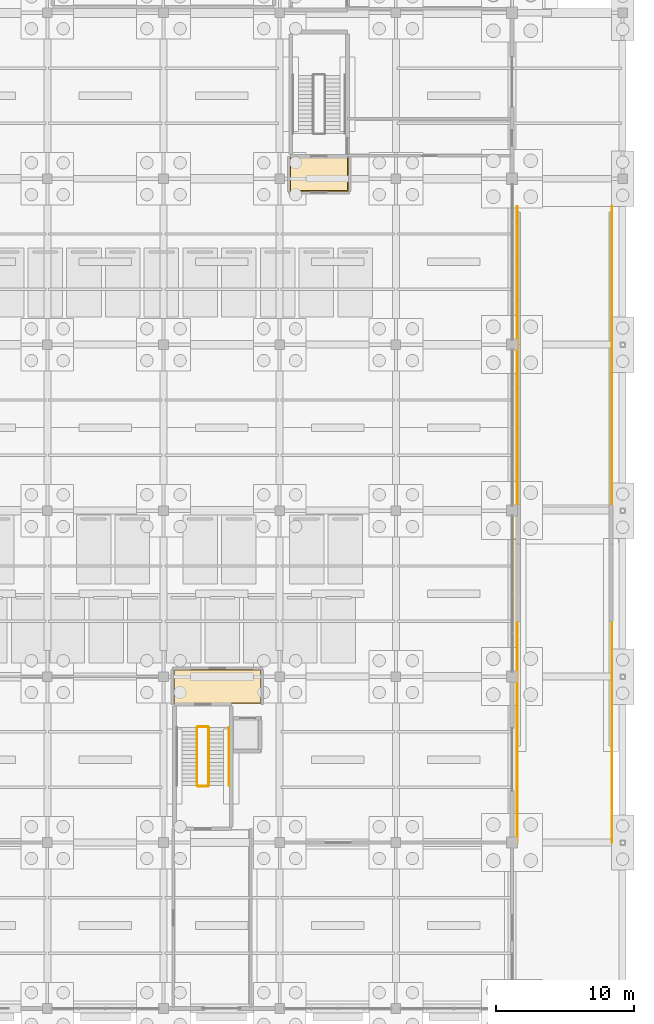
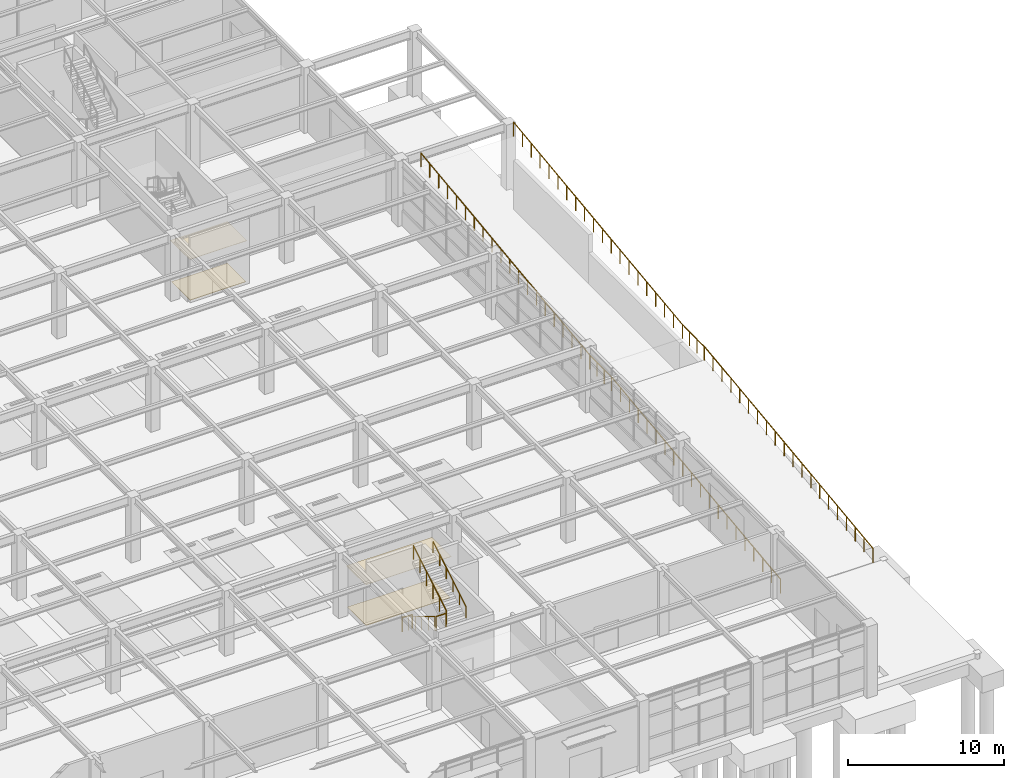
# One storey, part 127 of 129: 7 railings, 4 coverings.
"""IFC4 building model written with IfcOpenShell, lengths in metres."""

from ifc_helpers import new_model, si_unit, direction, frame, origin, origin_2d, place, context, subcontext, project, spatial, polyline, circle, outline, extrude, material, layer, layer_set, type_object, element, save


model = new_model("IFC4")

# Units and contexts
model_context = context("Model", 3, precision=1e-05, world=origin(), true_north=direction((0.0, 1.0)))
body_context = subcontext(model_context, "Body", "Model", "MODEL_VIEW")
ifc_project = project(units=[si_unit("LENGTHUNIT", "METRE"), si_unit("AREAUNIT", "SQUARE_METRE"), si_unit("VOLUMEUNIT", "CUBIC_METRE"), si_unit("PLANEANGLEUNIT", "RADIAN"), si_unit("MASSUNIT", "GRAM", prefix="KILO")], contexts=[model_context])

# Site, building, storey
site_placement = place(None, origin())
site = spatial("IfcSite", under=ifc_project, at=site_placement, CompositionType="ELEMENT")
building_placement = place(site_placement, origin())
building = spatial("IfcBuilding", under=site, at=building_placement, Name="Sitalva Quay Ferry Terminal", CompositionType="ELEMENT")
storey_placement = place(building_placement, origin())
storey = spatial("IfcBuildingStorey", under=building, at=storey_placement, Name="L01", CompositionType="ELEMENT", Elevation=0.0)

# Coverings
ifc_material_1 = material(Name="Moisture-Resistant Acoustic Gypsum Ceiling", Category="gypsum")
ifc_layer_1 = layer(ifc_material_1, 0.02490234375)
ifc_layer_set_1 = layer_set([ifc_layer_1], Name="Moisture-Resistant Acoustic Gypsum Ceiling")
covering_type_1 = type_object("IfcCoveringType", Name="Ceiling_GypsumMoisture_25", PredefinedType="CEILING", material=ifc_layer_set_1)
covering_1_placement = place(storey_placement, frame((0.0, 0.0, 3.22509765625)))
element("IfcCovering", 1, at=covering_1_placement, inside=storey, type_object=covering_type_1, Name="Firefighting & Lift Lobby C8 ceiling", PredefinedType="CEILING", context=body_context, shape_type="SweptSolid", body=[
    extrude(outline(polyline([(143.5400390625, 28.0400390625), (149.860107421875, 28.0400390625), (149.860107421875, 30.510009765625), (143.5400390625, 30.510009765625), (143.5400390625, 28.0400390625)])), origin(), (0.0, 0.0, 1.0), 0.02490234375),
])
covering_2_placement = place(storey_placement, frame((0.0, 0.0, 3.22509765625)))
element("IfcCovering", 2, at=covering_2_placement, inside=storey, type_object=covering_type_1, Name="Firefighting & Lift Lobby C9 ceiling", PredefinedType="CEILING", context=body_context, shape_type="SweptSolid", body=[
    extrude(outline(polyline([(151.93994140625, 65.090087890625), (156.159912109375, 65.090087890625), (156.159912109375, 67.56005859375), (151.93994140625, 67.56005859375), (151.93994140625, 65.090087890625)])), origin(), (0.0, 0.0, 1.0), 0.02490234375),
])
ifc_material_2 = material(Name="Flamed Non-Slip Granite Paving", Category="masonry")
ifc_layer_2 = layer(ifc_material_2, 0.034912109375)
ifc_layer_set_2 = layer_set([ifc_layer_2], Name="Flamed Non-Slip Granite Paving")
covering_type_2 = type_object("IfcCoveringType", Name="Finish_Granite_35", PredefinedType="FLOORING", material=ifc_layer_set_2)
covering_3_placement = place(storey_placement, origin())
element("IfcCovering", 3, at=covering_3_placement, inside=storey, type_object=covering_type_2, Name="Firefighting & Lift Lobby C8 floor finish", PredefinedType="FLOORING", context=body_context, shape_type="SweptSolid", body=[
    extrude(outline(polyline([(143.590087890625, 28.090087890625), (149.81005859375, 28.090087890625), (149.81005859375, 30.4599609375), (143.590087890625, 30.4599609375), (143.590087890625, 28.090087890625)])), origin(), (0.0, 0.0, 1.0), 0.034912109375),
])
covering_4_placement = place(storey_placement, origin())
element("IfcCovering", 4, at=covering_4_placement, inside=storey, type_object=covering_type_2, Name="Firefighting & Lift Lobby C9 floor finish", PredefinedType="FLOORING", context=body_context, shape_type="SweptSolid", body=[
    extrude(outline(polyline([(151.989990234375, 65.139892578125), (156.110107421875, 65.139892578125), (156.110107421875, 67.510009765625), (151.989990234375, 67.510009765625), (151.989990234375, 65.139892578125)])), origin(), (0.0, 0.0, 1.0), 0.034912109375),
])

# Railings
ifc_material_3 = material(Name="Galvanised Steel S275JR", Category="steel")
railing_type_1 = type_object("IfcRailingType", Name="Railing_Guard_1100", PredefinedType="GUARDRAIL", material=ifc_material_3)
railing_1_placement = place(storey_placement, frame((145.22998046875, 26.320068359375, 0.168701171875)))
element("IfcRailing", 5, at=railing_1_placement, inside=storey, type_object=railing_type_1, Name="L01 ST-08 stair guard 1", PredefinedType="GUARDRAIL", context=body_context, shape_type="SweptSolid", body=[
    extrude(circle(Radius=0.02392578125, at=origin_2d()), frame((0.0, 0.0, 1.076171875), z_axis=(0.0, -0.856476492594, 0.516186030065), x_axis=(1.0, 0.0, 0.0)), (0.0, 0.0, 1.0), 4.90380859375),
    extrude(circle(Radius=0.02099609375, at=origin_2d()), origin(), (0.0, 0.0, 1.0), 1.052001953125),
    extrude(circle(Radius=0.02099609375, at=origin_2d()), frame((0.0, -0.840087890625, 0.50634765625)), (0.0, 0.0, 1.0), 1.052001953125),
    extrude(circle(Radius=0.02099609375, at=origin_2d()), frame((0.0, -1.679931640625, 1.012451171875)), (0.0, 0.0, 1.0), 1.052001953125),
    extrude(circle(Radius=0.02099609375, at=origin_2d()), frame((0.0, -2.52001953125, 1.518798828125)), (0.0, 0.0, 1.0), 1.052001953125),
    extrude(circle(Radius=0.02099609375, at=origin_2d()), frame((0.0, -3.35986328125, 2.02490234375)), (0.0, 0.0, 1.0), 1.052001953125),
    extrude(circle(Radius=0.02099609375, at=origin_2d()), frame((0.0, -4.199951171875, 2.53125)), (0.0, 0.0, 1.0), 1.052001953125),
])
railing_2_placement = place(storey_placement, frame((145.280029296875, 22.070068359375, 2.699951171875)))
element("IfcRailing", 6, at=railing_2_placement, inside=storey, type_object=railing_type_1, Name="L01 ST-08 stair guard 2", PredefinedType="GUARDRAIL", context=body_context, shape_type="SweptSolid", body=[
    extrude(circle(Radius=0.02392578125, at=origin_2d()), frame((0.0, 0.0, 1.076171875), z_axis=(1.0, 0.0, 0.0), x_axis=(0.0, 1.0, 0.0)), (0.0, 0.0, 1.0), 0.739990234375),
    extrude(circle(Radius=0.02099609375, at=origin_2d()), origin(), (0.0, 0.0, 1.0), 1.052001953125),
    extrude(circle(Radius=0.02099609375, at=origin_2d()), frame((0.739990234375, 0.0, 0.0)), (0.0, 0.0, 1.0), 1.052001953125),
])
railing_3_placement = place(storey_placement, frame((146.070068359375, 22.1201171875, 2.86865234375)))
element("IfcRailing", 7, at=railing_3_placement, inside=storey, type_object=railing_type_1, Name="L01 ST-08 stair guard 3", PredefinedType="GUARDRAIL", context=body_context, shape_type="SweptSolid", body=[
    extrude(circle(Radius=0.02392578125, at=origin_2d()), frame((0.0, 0.0, 1.076171875), z_axis=(0.0, 0.856476492594, 0.516186030065), x_axis=(-1.0, 0.0, 0.0)), (0.0, 0.0, 1.0), 4.90380859375),
    extrude(circle(Radius=0.02099609375, at=origin_2d()), origin(), (0.0, 0.0, 1.0), 1.052001953125),
    extrude(circle(Radius=0.02099609375, at=origin_2d()), frame((0.0, 0.840087890625, 0.50634765625)), (0.0, 0.0, 1.0), 1.052001953125),
    extrude(circle(Radius=0.02099609375, at=origin_2d()), frame((0.0, 1.679931640625, 1.012451171875)), (0.0, 0.0, 1.0), 1.052001953125),
    extrude(circle(Radius=0.02099609375, at=origin_2d()), frame((0.0, 2.52001953125, 1.518798828125)), (0.0, 0.0, 1.0), 1.052001953125),
    extrude(circle(Radius=0.02099609375, at=origin_2d()), frame((0.0, 3.35986328125, 2.02490234375)), (0.0, 0.0, 1.0), 1.052001953125),
    extrude(circle(Radius=0.02099609375, at=origin_2d()), frame((0.0, 4.199951171875, 2.53125)), (0.0, 0.0, 1.0), 1.052001953125),
])
railing_4_placement = place(storey_placement, frame((145.280029296875, 26.3701171875, 0.0)))
element("IfcRailing", 8, at=railing_4_placement, inside=storey, type_object=railing_type_1, Name="L01 ST-08 stair guard 4", PredefinedType="GUARDRAIL", context=body_context, shape_type="SweptSolid", body=[
    extrude(circle(Radius=0.02392578125, at=origin_2d()), frame((0.0, 0.0, 1.076171875), z_axis=(1.0, 0.0, 0.0), x_axis=(0.0, 1.0, 0.0)), (0.0, 0.0, 1.0), 0.739990234375),
    extrude(circle(Radius=0.02099609375, at=origin_2d()), origin(), (0.0, 0.0, 1.0), 1.052001953125),
    extrude(circle(Radius=0.02099609375, at=origin_2d()), frame((0.739990234375, 0.0, 0.0)), (0.0, 0.0, 1.0), 1.052001953125),
])
railing_5_placement = place(storey_placement, frame((168.3798828125, 18.0, 0.0)))
element("IfcRailing", 9, at=railing_5_placement, inside=storey, type_object=railing_type_1, Name="Vehicle ramp VR-01 open-air guardrail", PredefinedType="GUARDRAIL", context=body_context, shape_type="SweptSolid", body=[
    extrude(circle(Radius=0.02392578125, at=origin_2d()), frame((0.0, 0.0, 1.076171875), z_axis=(0.0, 0.992278221801, 0.124031973856), x_axis=(-1.0, 0.0, 0.0)), (0.0, 0.0, 1.0), 21.76806640625),
    extrude(circle(Radius=0.02392578125, at=origin_2d()), frame((0.0, 21.60009765625, 3.77587890625), z_axis=(0.0, 1.0, 0.0), x_axis=(-1.0, 0.0, 0.0)), (0.0, 0.0, 1.0), 2.7998046875),
    extrude(circle(Radius=0.02392578125, at=origin_2d()), frame((0.0, 24.39990234375, 3.77587890625), z_axis=(0.0, 0.992278221801, 0.124031973856), x_axis=(-1.0, 0.0, 0.0)), (0.0, 0.0, 1.0), 21.76806640625),
    extrude(circle(Radius=0.02099609375, at=origin_2d()), origin(), (0.0, 0.0, 1.0), 1.052001953125),
    extrude(circle(Radius=0.02099609375, at=origin_2d()), frame((0.0, 1.136962890625, 0.14208984375)), (0.0, 0.0, 1.0), 1.052001953125),
    extrude(circle(Radius=0.02099609375, at=origin_2d()), frame((0.0, 2.273681640625, 0.2841796875)), (0.0, 0.0, 1.0), 1.052001953125),
    extrude(circle(Radius=0.02099609375, at=origin_2d()), frame((0.0, 3.41064453125, 0.42626953125)), (0.0, 0.0, 1.0), 1.052001953125),
    extrude(circle(Radius=0.02099609375, at=origin_2d()), frame((0.0, 4.54736328125, 0.568359375)), (0.0, 0.0, 1.0), 1.052001953125),
    extrude(circle(Radius=0.02099609375, at=origin_2d()), frame((0.0, 5.684326171875, 0.71044921875)), (0.0, 0.0, 1.0), 1.052001953125),
    extrude(circle(Radius=0.02099609375, at=origin_2d()), frame((0.0, 6.821044921875, 0.8525390625)), (0.0, 0.0, 1.0), 1.052001953125),
    extrude(circle(Radius=0.02099609375, at=origin_2d()), frame((0.0, 7.9580078125, 0.99462890625)), (0.0, 0.0, 1.0), 1.052001953125),
    extrude(circle(Radius=0.02099609375, at=origin_2d()), frame((0.0, 9.0947265625, 1.13671875)), (0.0, 0.0, 1.0), 1.052001953125),
    extrude(circle(Radius=0.02099609375, at=origin_2d()), frame((0.0, 10.231689453125, 1.27880859375)), (0.0, 0.0, 1.0), 1.052001953125),
    extrude(circle(Radius=0.02099609375, at=origin_2d()), frame((0.0, 11.368408203125, 1.421142578125)), (0.0, 0.0, 1.0), 1.052001953125),
    extrude(circle(Radius=0.02099609375, at=origin_2d()), frame((0.0, 12.50537109375, 1.563232421875)), (0.0, 0.0, 1.0), 1.052001953125),
    extrude(circle(Radius=0.02099609375, at=origin_2d()), frame((0.0, 13.64208984375, 1.705322265625)), (0.0, 0.0, 1.0), 1.052001953125),
    extrude(circle(Radius=0.02099609375, at=origin_2d()), frame((0.0, 14.779052734375, 1.847412109375)), (0.0, 0.0, 1.0), 1.052001953125),
    extrude(circle(Radius=0.02099609375, at=origin_2d()), frame((0.0, 15.915771484375, 1.989501953125)), (0.0, 0.0, 1.0), 1.052001953125),
    extrude(circle(Radius=0.02099609375, at=origin_2d()), frame((0.0, 17.052734375, 2.131591796875)), (0.0, 0.0, 1.0), 1.052001953125),
    extrude(circle(Radius=0.02099609375, at=origin_2d()), frame((0.0, 18.189453125, 2.273681640625)), (0.0, 0.0, 1.0), 1.052001953125),
    extrude(circle(Radius=0.02099609375, at=origin_2d()), frame((0.0, 19.326416015625, 2.415771484375)), (0.0, 0.0, 1.0), 1.052001953125),
    extrude(circle(Radius=0.02099609375, at=origin_2d()), frame((0.0, 20.463134765625, 2.557861328125)), (0.0, 0.0, 1.0), 1.052001953125),
    extrude(circle(Radius=0.02099609375, at=origin_2d()), frame((0.0, 21.60009765625, 2.699951171875)), (0.0, 0.0, 1.0), 1.052001953125),
    extrude(circle(Radius=0.02099609375, at=origin_2d()), frame((0.0, 22.533447265625, 2.699951171875)), (0.0, 0.0, 1.0), 1.052001953125),
    extrude(circle(Radius=0.02099609375, at=origin_2d()), frame((0.0, 23.466552734375, 2.699951171875)), (0.0, 0.0, 1.0), 1.052001953125),
    extrude(circle(Radius=0.02099609375, at=origin_2d()), frame((0.0, 24.39990234375, 2.699951171875)), (0.0, 0.0, 1.0), 1.052001953125),
    extrude(circle(Radius=0.02099609375, at=origin_2d()), frame((0.0, 25.536865234375, 2.842041015625)), (0.0, 0.0, 1.0), 1.052001953125),
    extrude(circle(Radius=0.02099609375, at=origin_2d()), frame((0.0, 26.673583984375, 2.984130859375)), (0.0, 0.0, 1.0), 1.052001953125),
    extrude(circle(Radius=0.02099609375, at=origin_2d()), frame((0.0, 27.810546875, 3.126220703125)), (0.0, 0.0, 1.0), 1.052001953125),
    extrude(circle(Radius=0.02099609375, at=origin_2d()), frame((0.0, 28.947265625, 3.268310546875)), (0.0, 0.0, 1.0), 1.052001953125),
    extrude(circle(Radius=0.02099609375, at=origin_2d()), frame((0.0, 30.084228515625, 3.410400390625)), (0.0, 0.0, 1.0), 1.052001953125),
    extrude(circle(Radius=0.02099609375, at=origin_2d()), frame((0.0, 31.220947265625, 3.552490234375)), (0.0, 0.0, 1.0), 1.052001953125),
    extrude(circle(Radius=0.02099609375, at=origin_2d()), frame((0.0, 32.35791015625, 3.694580078125)), (0.0, 0.0, 1.0), 1.052001953125),
    extrude(circle(Radius=0.02099609375, at=origin_2d()), frame((0.0, 33.49462890625, 3.836669921875)), (0.0, 0.0, 1.0), 1.052001953125),
    extrude(circle(Radius=0.02099609375, at=origin_2d()), frame((0.0, 34.631591796875, 3.978759765625)), (0.0, 0.0, 1.0), 1.052001953125),
    extrude(circle(Radius=0.02099609375, at=origin_2d()), frame((0.0, 35.768310546875, 4.12109375)), (0.0, 0.0, 1.0), 1.052001953125),
    extrude(circle(Radius=0.02099609375, at=origin_2d()), frame((0.0, 36.9052734375, 4.26318359375)), (0.0, 0.0, 1.0), 1.052001953125),
    extrude(circle(Radius=0.02099609375, at=origin_2d()), frame((0.0, 38.0419921875, 4.4052734375)), (0.0, 0.0, 1.0), 1.052001953125),
    extrude(circle(Radius=0.02099609375, at=origin_2d()), frame((0.0, 39.178955078125, 4.54736328125)), (0.0, 0.0, 1.0), 1.052001953125),
    extrude(circle(Radius=0.02099609375, at=origin_2d()), frame((0.0, 40.315673828125, 4.689453125)), (0.0, 0.0, 1.0), 1.052001953125),
    extrude(circle(Radius=0.02099609375, at=origin_2d()), frame((0.0, 41.45263671875, 4.83154296875)), (0.0, 0.0, 1.0), 1.052001953125),
    extrude(circle(Radius=0.02099609375, at=origin_2d()), frame((0.0, 42.58935546875, 4.9736328125)), (0.0, 0.0, 1.0), 1.052001953125),
    extrude(circle(Radius=0.02099609375, at=origin_2d()), frame((0.0, 43.726318359375, 5.11572265625)), (0.0, 0.0, 1.0), 1.052001953125),
    extrude(circle(Radius=0.02099609375, at=origin_2d()), frame((0.0, 44.863037109375, 5.2578125)), (0.0, 0.0, 1.0), 1.052001953125),
    extrude(circle(Radius=0.02099609375, at=origin_2d()), frame((0.0, 46.0, 5.39990234375)), (0.0, 0.0, 1.0), 1.052001953125),
])
railing_6_placement = place(storey_placement, frame((175.219970703125, 18.0, 0.0)))
element("IfcRailing", 10, at=railing_6_placement, inside=storey, type_object=railing_type_1, Name="Vehicle ramp VR-01 open-air guardrail", PredefinedType="GUARDRAIL", context=body_context, shape_type="SweptSolid", body=[
    extrude(circle(Radius=0.02392578125, at=origin_2d()), frame((0.0, 0.0, 1.076171875), z_axis=(0.0, 0.992278221801, 0.124031973856), x_axis=(-1.0, 0.0, 0.0)), (0.0, 0.0, 1.0), 21.76806640625),
    extrude(circle(Radius=0.02392578125, at=origin_2d()), frame((0.0, 21.60009765625, 3.77587890625), z_axis=(0.0, 1.0, 0.0), x_axis=(-1.0, 0.0, 0.0)), (0.0, 0.0, 1.0), 2.7998046875),
    extrude(circle(Radius=0.02392578125, at=origin_2d()), frame((0.0, 24.39990234375, 3.77587890625), z_axis=(0.0, 0.992278221801, 0.124031973856), x_axis=(-1.0, 0.0, 0.0)), (0.0, 0.0, 1.0), 21.76806640625),
    extrude(circle(Radius=0.02099609375, at=origin_2d()), origin(), (0.0, 0.0, 1.0), 1.052001953125),
    extrude(circle(Radius=0.02099609375, at=origin_2d()), frame((0.0, 1.136962890625, 0.14208984375)), (0.0, 0.0, 1.0), 1.052001953125),
    extrude(circle(Radius=0.02099609375, at=origin_2d()), frame((0.0, 2.273681640625, 0.2841796875)), (0.0, 0.0, 1.0), 1.052001953125),
    extrude(circle(Radius=0.02099609375, at=origin_2d()), frame((0.0, 3.41064453125, 0.42626953125)), (0.0, 0.0, 1.0), 1.052001953125),
    extrude(circle(Radius=0.02099609375, at=origin_2d()), frame((0.0, 4.54736328125, 0.568359375)), (0.0, 0.0, 1.0), 1.052001953125),
    extrude(circle(Radius=0.02099609375, at=origin_2d()), frame((0.0, 5.684326171875, 0.71044921875)), (0.0, 0.0, 1.0), 1.052001953125),
    extrude(circle(Radius=0.02099609375, at=origin_2d()), frame((0.0, 6.821044921875, 0.8525390625)), (0.0, 0.0, 1.0), 1.052001953125),
    extrude(circle(Radius=0.02099609375, at=origin_2d()), frame((0.0, 7.9580078125, 0.99462890625)), (0.0, 0.0, 1.0), 1.052001953125),
    extrude(circle(Radius=0.02099609375, at=origin_2d()), frame((0.0, 9.0947265625, 1.13671875)), (0.0, 0.0, 1.0), 1.052001953125),
    extrude(circle(Radius=0.02099609375, at=origin_2d()), frame((0.0, 10.231689453125, 1.27880859375)), (0.0, 0.0, 1.0), 1.052001953125),
    extrude(circle(Radius=0.02099609375, at=origin_2d()), frame((0.0, 11.368408203125, 1.421142578125)), (0.0, 0.0, 1.0), 1.052001953125),
    extrude(circle(Radius=0.02099609375, at=origin_2d()), frame((0.0, 12.50537109375, 1.563232421875)), (0.0, 0.0, 1.0), 1.052001953125),
    extrude(circle(Radius=0.02099609375, at=origin_2d()), frame((0.0, 13.64208984375, 1.705322265625)), (0.0, 0.0, 1.0), 1.052001953125),
    extrude(circle(Radius=0.02099609375, at=origin_2d()), frame((0.0, 14.779052734375, 1.847412109375)), (0.0, 0.0, 1.0), 1.052001953125),
    extrude(circle(Radius=0.02099609375, at=origin_2d()), frame((0.0, 15.915771484375, 1.989501953125)), (0.0, 0.0, 1.0), 1.052001953125),
    extrude(circle(Radius=0.02099609375, at=origin_2d()), frame((0.0, 17.052734375, 2.131591796875)), (0.0, 0.0, 1.0), 1.052001953125),
    extrude(circle(Radius=0.02099609375, at=origin_2d()), frame((0.0, 18.189453125, 2.273681640625)), (0.0, 0.0, 1.0), 1.052001953125),
    extrude(circle(Radius=0.02099609375, at=origin_2d()), frame((0.0, 19.326416015625, 2.415771484375)), (0.0, 0.0, 1.0), 1.052001953125),
    extrude(circle(Radius=0.02099609375, at=origin_2d()), frame((0.0, 20.463134765625, 2.557861328125)), (0.0, 0.0, 1.0), 1.052001953125),
    extrude(circle(Radius=0.02099609375, at=origin_2d()), frame((0.0, 21.60009765625, 2.699951171875)), (0.0, 0.0, 1.0), 1.052001953125),
    extrude(circle(Radius=0.02099609375, at=origin_2d()), frame((0.0, 22.533447265625, 2.699951171875)), (0.0, 0.0, 1.0), 1.052001953125),
    extrude(circle(Radius=0.02099609375, at=origin_2d()), frame((0.0, 23.466552734375, 2.699951171875)), (0.0, 0.0, 1.0), 1.052001953125),
    extrude(circle(Radius=0.02099609375, at=origin_2d()), frame((0.0, 24.39990234375, 2.699951171875)), (0.0, 0.0, 1.0), 1.052001953125),
    extrude(circle(Radius=0.02099609375, at=origin_2d()), frame((0.0, 25.536865234375, 2.842041015625)), (0.0, 0.0, 1.0), 1.052001953125),
    extrude(circle(Radius=0.02099609375, at=origin_2d()), frame((0.0, 26.673583984375, 2.984130859375)), (0.0, 0.0, 1.0), 1.052001953125),
    extrude(circle(Radius=0.02099609375, at=origin_2d()), frame((0.0, 27.810546875, 3.126220703125)), (0.0, 0.0, 1.0), 1.052001953125),
    extrude(circle(Radius=0.02099609375, at=origin_2d()), frame((0.0, 28.947265625, 3.268310546875)), (0.0, 0.0, 1.0), 1.052001953125),
    extrude(circle(Radius=0.02099609375, at=origin_2d()), frame((0.0, 30.084228515625, 3.410400390625)), (0.0, 0.0, 1.0), 1.052001953125),
    extrude(circle(Radius=0.02099609375, at=origin_2d()), frame((0.0, 31.220947265625, 3.552490234375)), (0.0, 0.0, 1.0), 1.052001953125),
    extrude(circle(Radius=0.02099609375, at=origin_2d()), frame((0.0, 32.35791015625, 3.694580078125)), (0.0, 0.0, 1.0), 1.052001953125),
    extrude(circle(Radius=0.02099609375, at=origin_2d()), frame((0.0, 33.49462890625, 3.836669921875)), (0.0, 0.0, 1.0), 1.052001953125),
    extrude(circle(Radius=0.02099609375, at=origin_2d()), frame((0.0, 34.631591796875, 3.978759765625)), (0.0, 0.0, 1.0), 1.052001953125),
    extrude(circle(Radius=0.02099609375, at=origin_2d()), frame((0.0, 35.768310546875, 4.12109375)), (0.0, 0.0, 1.0), 1.052001953125),
    extrude(circle(Radius=0.02099609375, at=origin_2d()), frame((0.0, 36.9052734375, 4.26318359375)), (0.0, 0.0, 1.0), 1.052001953125),
    extrude(circle(Radius=0.02099609375, at=origin_2d()), frame((0.0, 38.0419921875, 4.4052734375)), (0.0, 0.0, 1.0), 1.052001953125),
    extrude(circle(Radius=0.02099609375, at=origin_2d()), frame((0.0, 39.178955078125, 4.54736328125)), (0.0, 0.0, 1.0), 1.052001953125),
    extrude(circle(Radius=0.02099609375, at=origin_2d()), frame((0.0, 40.315673828125, 4.689453125)), (0.0, 0.0, 1.0), 1.052001953125),
    extrude(circle(Radius=0.02099609375, at=origin_2d()), frame((0.0, 41.45263671875, 4.83154296875)), (0.0, 0.0, 1.0), 1.052001953125),
    extrude(circle(Radius=0.02099609375, at=origin_2d()), frame((0.0, 42.58935546875, 4.9736328125)), (0.0, 0.0, 1.0), 1.052001953125),
    extrude(circle(Radius=0.02099609375, at=origin_2d()), frame((0.0, 43.726318359375, 5.11572265625)), (0.0, 0.0, 1.0), 1.052001953125),
    extrude(circle(Radius=0.02099609375, at=origin_2d()), frame((0.0, 44.863037109375, 5.2578125)), (0.0, 0.0, 1.0), 1.052001953125),
    extrude(circle(Radius=0.02099609375, at=origin_2d()), frame((0.0, 46.0, 5.39990234375)), (0.0, 0.0, 1.0), 1.052001953125),
])
ifc_material_4 = material(Name="Stainless Steel 316L", Category="steel")
railing_type_2 = type_object("IfcRailingType", Name="Railing_Handrail_900", PredefinedType="HANDRAIL", material=ifc_material_4)
railing_7_placement = place(storey_placement, frame((147.530029296875, 22.1201171875, 2.86865234375)))
element("IfcRailing", 11, at=railing_7_placement, inside=storey, type_object=railing_type_2, Name="L01 ST-08 stair handrail 2", PredefinedType="HANDRAIL", context=body_context, shape_type="SweptSolid", body=[
    extrude(circle(Radius=0.02392578125, at=origin_2d()), frame((0.0, 0.0, 0.8759765625), z_axis=(0.0, 0.856476492594, 0.516186030065), x_axis=(-1.0, 0.0, 0.0)), (0.0, 0.0, 1.0), 4.90380859375),
    extrude(circle(Radius=0.02099609375, at=origin_2d()), origin(), (0.0, 0.0, 1.0), 0.851806640625),
    extrude(circle(Radius=0.02099609375, at=origin_2d()), frame((0.0, 0.840087890625, 0.50634765625)), (0.0, 0.0, 1.0), 0.851806640625),
    extrude(circle(Radius=0.02099609375, at=origin_2d()), frame((0.0, 1.679931640625, 1.012451171875)), (0.0, 0.0, 1.0), 0.851806640625),
    extrude(circle(Radius=0.02099609375, at=origin_2d()), frame((0.0, 2.52001953125, 1.518798828125)), (0.0, 0.0, 1.0), 0.851806640625),
    extrude(circle(Radius=0.02099609375, at=origin_2d()), frame((0.0, 3.35986328125, 2.02490234375)), (0.0, 0.0, 1.0), 0.851806640625),
    extrude(circle(Radius=0.02099609375, at=origin_2d()), frame((0.0, 4.199951171875, 2.53125)), (0.0, 0.0, 1.0), 0.851806640625),
])

save(model, "model.ifc")
